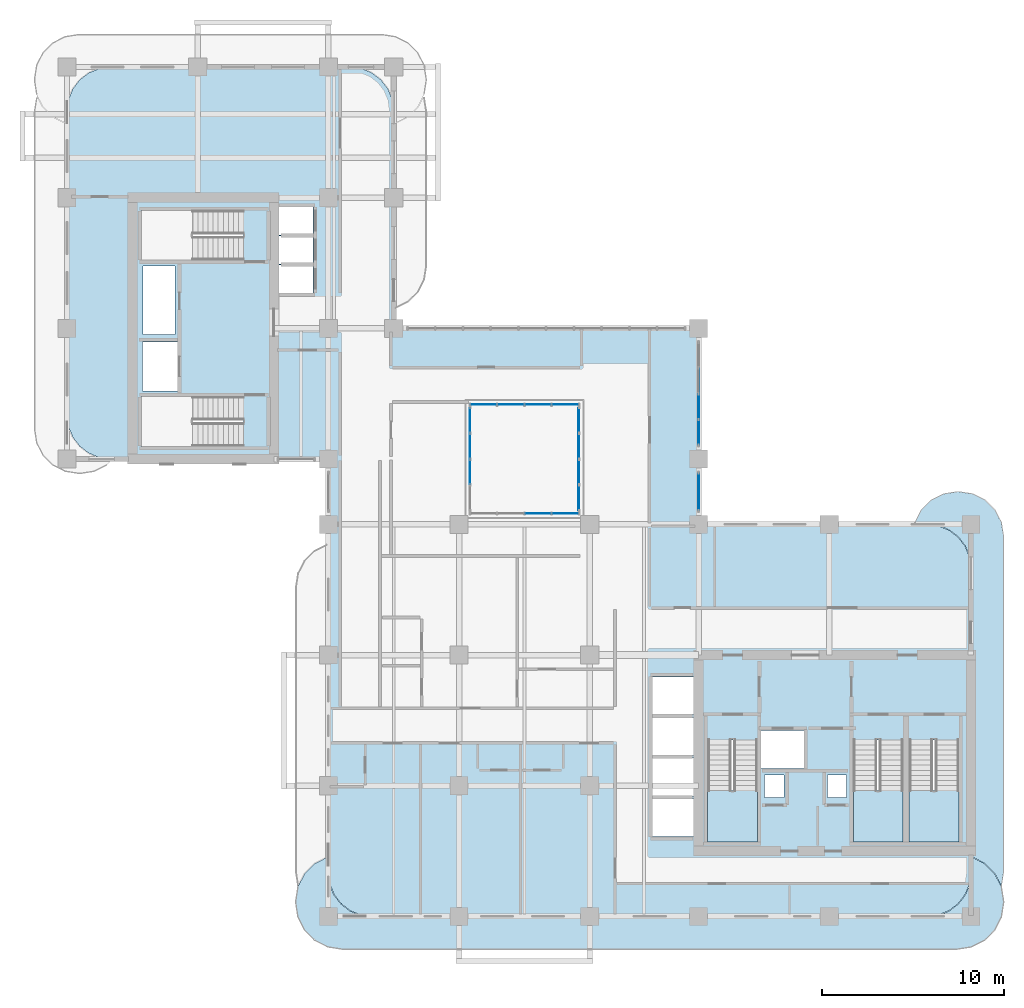
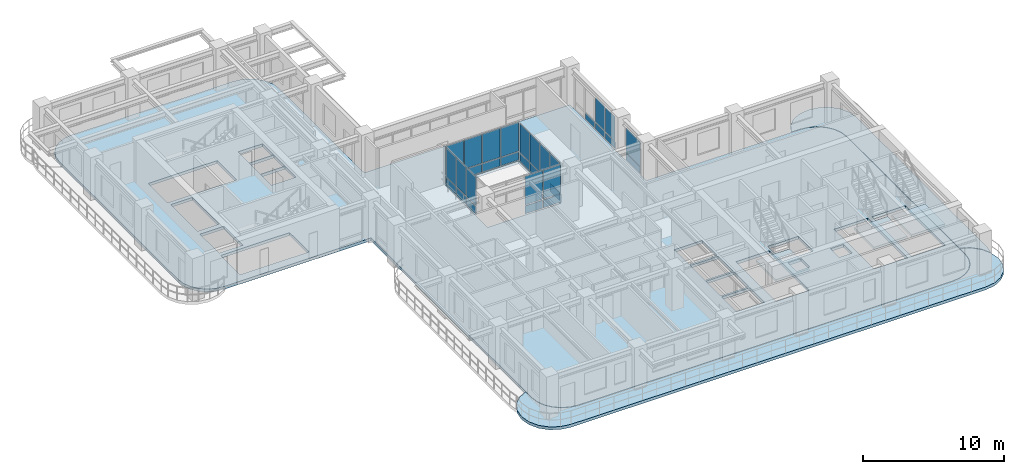
# One storey, part 9 of 19: 33 plates, 6 slabs, 9 elements without a shape of their own.
"""IFC4 building model written with IfcOpenShell, lengths in metres."""

from ifc_helpers import new_model, si_unit, derived_unit, direction, frame, origin, origin_2d, place, context, subcontext, project, spatial, polyline, rectangle, outline, extrude, source, transform, mapped, material, layer, layer_set, type_object, element, aggregate, save


model = new_model("IFC4")

# Units and contexts
model_context = context("Model", 3, precision=1e-05, world=origin(), true_north=direction((0.0, 1.0)))
body_context = subcontext(model_context, "Body", "Model", "MODEL_VIEW")
ifc_project = project(units=[si_unit("LENGTHUNIT", "METRE"), si_unit("AREAUNIT", "SQUARE_METRE"), si_unit("VOLUMEUNIT", "CUBIC_METRE"), si_unit("PLANEANGLEUNIT", "RADIAN"), si_unit("MASSUNIT", "GRAM", prefix="KILO"), si_unit("THERMODYNAMICTEMPERATUREUNIT", "KELVIN"), si_unit("POWERUNIT", "WATT"), derived_unit("THERMALTRANSMITTANCEUNIT", [(si_unit("POWERUNIT", "WATT"), 1), (si_unit("AREAUNIT", "SQUARE_METRE"), -1), (si_unit("THERMODYNAMICTEMPERATUREUNIT", "KELVIN"), -1)])], contexts=[model_context])

# Site, building, storey
site_placement = place(None, origin())
site = spatial("IfcSite", under=ifc_project, at=site_placement, CompositionType="ELEMENT")
building_placement = place(site_placement, origin())
building = spatial("IfcBuilding", under=site, at=building_placement, Name="Zahravan Archway Hotel and Residences", CompositionType="ELEMENT")
storey_placement = place(building_placement, frame((0.0, 0.0, 134.0)))
storey = spatial("IfcBuildingStorey", under=building, at=storey_placement, Name="L33", CompositionType="ELEMENT", Elevation=134.0)

# Slabs
ifc_material_1 = material(Name="Concrete C45/55", Category="concrete")
ifc_layer_1 = layer(ifc_material_1, 0.25, Name="Concrete C45/55", Category="concrete")
ifc_layer_set_1 = layer_set([ifc_layer_1], Name="Concrete C45/55")
slab_type_1 = type_object("IfcSlabType", Name="SLB-BALC-250", PredefinedType="FLOOR", material=ifc_layer_set_1)
slab_1_placement = place(storey_placement, frame((0.0, 0.0, -0.25)))
element("IfcSlab", 1, at=slab_1_placement, inside=storey, type_object=slab_type_1, Name="L33 Wing A South Rounded Balcony Band", PredefinedType="FLOOR", context=body_context, shape_type="SweptSolid", body=[
    extrude(outline(polyline([(49.837890625, 3.275146484375), (50.548828125, 2.9130859375), (51.113037109375, 2.348876953125), (51.47509765625, 1.637939453125), (51.60009765625, 0.85009765625), (51.60009765625, 0.75), (51.47509765625, -0.0380859375), (51.113037109375, -0.748779296875), (50.548828125, -1.31298828125), (49.837890625, -1.67529296875), (49.050048828125, -1.800048828125), (15.14990234375, -1.800048828125), (14.362060546875, -1.67529296875), (13.651123046875, -1.31298828125), (13.0869140625, -0.748779296875), (12.724853515625, -0.0380859375), (12.60009765625, 0.75), (12.60009765625, 0.85009765625), (12.724853515625, 1.637939453125), (13.0869140625, 2.348876953125), (13.651123046875, 2.9130859375), (14.362060546875, 3.275146484375), (14.3798828125, 3.278076171875), (14.3798828125, 2.39990234375), (14.380126953125, 2.3974609375), (14.4619140625, 1.776123046875), (14.46240234375, 1.7744140625), (14.462646484375, 1.772705078125), (14.46337890625, 1.77099609375), (14.702880859375, 1.1923828125), (14.703857421875, 1.19091796875), (14.70458984375, 1.189208984375), (14.70556640625, 1.187744140625), (15.0869140625, 0.690673828125), (15.088134765625, 0.689453125), (15.08935546875, 0.688232421875), (15.0908203125, 0.68701171875), (15.587890625, 0.3056640625), (15.58935546875, 0.3046875), (15.5908203125, 0.3037109375), (15.59228515625, 0.302978515625), (16.171142578125, 0.063232421875), (16.1728515625, 0.062744140625), (16.174560546875, 0.062255859375), (16.17626953125, 0.06201171875), (16.79736328125, -0.019775390625), (16.800048828125, -0.02001953125), (47.39990234375, -0.02001953125), (47.402587890625, -0.019775390625), (48.023681640625, 0.06201171875), (48.025390625, 0.062255859375), (48.027099609375, 0.062744140625), (48.02880859375, 0.063232421875), (48.607666015625, 0.302978515625), (48.609130859375, 0.3037109375), (48.610595703125, 0.3046875), (48.6123046875, 0.3056640625), (49.109375, 0.68701171875), (49.110595703125, 0.688232421875), (49.11181640625, 0.689453125), (49.113037109375, 0.690673828125), (49.494384765625, 1.187744140625), (49.495361328125, 1.189208984375), (49.49609375, 1.19091796875), (49.4970703125, 1.1923828125), (49.73681640625, 1.77099609375), (49.7373046875, 1.772705078125), (49.73779296875, 1.7744140625), (49.738037109375, 1.776123046875), (49.81982421875, 2.3974609375), (49.820068359375, 2.39990234375), (49.820068359375, 3.278076171875), (49.837890625, 3.275146484375)])), origin(), (0.0, 0.0, 1.0), 0.25),
])
slab_2_placement = place(storey_placement, frame((0.0, 0.0, -0.25)))
element("IfcSlab", 2, at=slab_2_placement, inside=storey, type_object=slab_type_1, Name="L33 Wing A East Rounded Balcony Band", PredefinedType="FLOOR", context=body_context, shape_type="SweptSolid", body=[
    extrude(outline(polyline([(46.719970703125, 21.70703125), (47.06787109375, 22.39013671875), (47.60986328125, 22.93212890625), (48.29296875, 23.280029296875), (49.050048828125, 23.39990234375), (49.14990234375, 23.39990234375), (49.906982421875, 23.280029296875), (50.590087890625, 22.93212890625), (51.132080078125, 22.39013671875), (51.47998046875, 21.70703125), (51.60009765625, 20.949951171875), (51.60009765625, 2.449951171875), (51.47998046875, 1.69287109375), (51.474853515625, 1.6826171875), (51.130859375, 2.35791015625), (51.1298828125, 2.35986328125), (51.12841796875, 2.361572265625), (51.127197265625, 2.363037109375), (50.56298828125, 2.927001953125), (50.5615234375, 2.928466796875), (50.559814453125, 2.9296875), (50.55810546875, 2.930908203125), (49.84716796875, 3.29296875), (49.84521484375, 3.2939453125), (49.84326171875, 3.29443359375), (49.841064453125, 3.294921875), (49.822998046875, 3.2978515625), (49.8212890625, 3.298095703125), (49.820068359375, 3.298095703125), (49.820068359375, 19.199951171875), (49.81982421875, 19.20263671875), (49.738037109375, 19.82373046875), (49.73779296875, 19.825439453125), (49.7373046875, 19.8271484375), (49.73681640625, 19.828857421875), (49.4970703125, 20.40771484375), (49.49609375, 20.4091796875), (49.495361328125, 20.41064453125), (49.494384765625, 20.412109375), (49.113037109375, 20.9091796875), (49.11181640625, 20.91064453125), (49.110595703125, 20.911865234375), (49.109375, 20.9130859375), (48.6123046875, 21.29443359375), (48.610595703125, 21.29541015625), (48.609130859375, 21.296142578125), (48.607666015625, 21.297119140625), (48.02880859375, 21.53662109375), (48.027099609375, 21.537353515625), (48.025390625, 21.53759765625), (48.023681640625, 21.5380859375), (47.402587890625, 21.619873046875), (47.39990234375, 21.6201171875), (46.7060546875, 21.6201171875), (46.719970703125, 21.70703125)])), origin(), (0.0, 0.0, 1.0), 0.25),
])
ifc_layer_2 = layer(ifc_material_1, 0.25, Name="Concrete C45/55", Category="concrete")
ifc_layer_set_2 = layer_set([ifc_layer_2], Name="Concrete C45/55")
slab_type_2 = type_object("IfcSlabType", Name="SLB-FLR-250", PredefinedType="FLOOR", material=ifc_layer_set_2)
slab_3_placement = place(storey_placement, frame((0.0, 0.0, -0.25)))
element("IfcSlab", 3, at=slab_3_placement, inside=storey, type_object=slab_type_2, Name="L33 Floor Slab LB", PredefinedType="FLOOR", context=body_context, shape_type="SweptSolid", body=[
    extrude(outline(polyline([(34.800048828125, 21.60009765625), (34.800048828125, 32.39990234375), (18.0, 32.39990234375), (18.0, 44.39990234375), (17.918212890625, 45.021240234375), (17.678466796875, 45.60009765625), (17.297119140625, 46.09716796875), (16.800048828125, 46.478515625), (16.22119140625, 46.71826171875), (15.60009765625, 46.800048828125), (2.39990234375, 46.800048828125), (1.77880859375, 46.71826171875), (1.199951171875, 46.478515625), (0.702880859375, 46.09716796875), (0.321533203125, 45.60009765625), (0.081787109375, 45.021240234375), (0.0, 44.39990234375), (0.0, 27.60009765625), (0.081787109375, 26.978759765625), (0.321533203125, 26.39990234375), (0.702880859375, 25.90283203125), (1.199951171875, 25.521484375), (1.77880859375, 25.28173828125), (2.39990234375, 25.199951171875), (14.39990234375, 25.199951171875), (14.39990234375, 19.199951171875), (14.39990234375, 19.10009765625), (14.39990234375, 2.39990234375), (14.481689453125, 1.77880859375), (14.721435546875, 1.199951171875), (15.102783203125, 0.702880859375), (15.60009765625, 0.321533203125), (16.1787109375, 0.081787109375), (16.800048828125, 0.0), (47.39990234375, 0.0), (48.021240234375, 0.081787109375), (48.60009765625, 0.321533203125), (49.09716796875, 0.702880859375), (49.478515625, 1.199951171875), (49.71826171875, 1.77880859375), (49.800048828125, 2.39990234375), (49.800048828125, 19.199951171875), (49.71826171875, 19.8212890625), (49.478515625, 20.39990234375), (49.09716796875, 20.897216796875), (48.60009765625, 21.278564453125), (48.021240234375, 21.518310546875), (47.39990234375, 21.60009765625), (34.800048828125, 21.60009765625)]), holes=[polyline([(35.300048828125, 9.72998046875), (35.300048828125, 4.10009765625), (38.0400390625, 4.10009765625), (38.0400390625, 9.72998046875), (35.300048828125, 9.72998046875)]), polyline([(43.320068359375, 9.72998046875), (43.320068359375, 4.10009765625), (46.06005859375, 4.10009765625), (46.06005859375, 9.72998046875), (43.320068359375, 9.72998046875)]), polyline([(46.39990234375, 9.72998046875), (46.39990234375, 4.10009765625), (49.139892578125, 4.10009765625), (49.139892578125, 9.72998046875), (46.39990234375, 9.72998046875)]), polyline([(9.72998046875, 28.639892578125), (4.10009765625, 28.639892578125), (4.10009765625, 25.89990234375), (9.72998046875, 25.89990234375), (9.72998046875, 28.639892578125)]), polyline([(9.72998046875, 38.89990234375), (4.10009765625, 38.89990234375), (4.10009765625, 36.159912109375), (9.72998046875, 36.159912109375), (9.72998046875, 38.89990234375)]), polyline([(38.179931640625, 8.14990234375), (40.699951171875, 8.14990234375), (40.699951171875, 10.25), (38.179931640625, 10.25), (38.179931640625, 8.14990234375)]), polyline([(4.14990234375, 28.949951171875), (6.10009765625, 28.949951171875), (6.10009765625, 31.64990234375), (4.14990234375, 31.64990234375), (4.14990234375, 28.949951171875)]), polyline([(11.550048828125, 34.35009765625), (13.550048828125, 34.35009765625), (13.550048828125, 35.889892578125), (11.550048828125, 35.889892578125), (11.550048828125, 34.35009765625)]), polyline([(11.550048828125, 35.949951171875), (13.550048828125, 35.949951171875), (13.550048828125, 37.489990234375), (11.550048828125, 37.489990234375), (11.550048828125, 35.949951171875)]), polyline([(11.550048828125, 37.550048828125), (13.550048828125, 37.550048828125), (13.550048828125, 39.090087890625), (11.550048828125, 39.090087890625), (11.550048828125, 37.550048828125)]), polyline([(32.25, 4.39990234375), (34.550048828125, 4.39990234375), (34.550048828125, 6.47998046875), (32.25, 6.47998046875), (32.25, 4.39990234375)]), polyline([(32.25, 6.639892578125), (34.550048828125, 6.639892578125), (34.550048828125, 8.719970703125), (32.25, 8.719970703125), (32.25, 6.639892578125)]), polyline([(32.25, 8.8798828125), (34.550048828125, 8.8798828125), (34.550048828125, 10.9599609375), (32.25, 10.9599609375), (32.25, 8.8798828125)]), polyline([(32.25, 11.1201171875), (34.550048828125, 11.1201171875), (34.550048828125, 13.199951171875), (32.25, 13.199951171875), (32.25, 11.1201171875)]), polyline([(22.199951171875, 22.199951171875), (28.199951171875, 22.199951171875), (28.199951171875, 28.199951171875), (22.199951171875, 28.199951171875), (22.199951171875, 22.199951171875)]), polyline([(38.419921875, 6.56005859375), (39.5, 6.56005859375), (39.5, 7.780029296875), (38.419921875, 7.780029296875), (38.419921875, 6.56005859375)]), polyline([(41.89990234375, 6.56005859375), (42.9599609375, 6.56005859375), (42.9599609375, 7.780029296875), (41.89990234375, 7.780029296875), (41.89990234375, 6.56005859375)]), polyline([(4.179931640625, 32.050048828125), (5.93994140625, 32.050048828125), (5.93994140625, 35.840087890625), (4.179931640625, 35.840087890625), (4.179931640625, 32.050048828125)])]), origin(), (0.0, 0.0, 1.0), 0.25),
])

# Stair, slab
ifc_material_2 = material(Name="Concrete C50/60", Category="concrete")
stair_type = type_object("IfcStairType", Name="STR-CORE-1300", PredefinedType="HALF_TURN_STAIR", material=ifc_material_2)
stair_1_placement = place(storey_placement, origin())
stair_1 = element("IfcStair", 4, at=stair_1_placement, inside=storey, type_object=stair_type, Name="L33 Core A Exit Stair 1", PredefinedType="HALF_TURN_STAIR")
ifc_layer_3 = layer(ifc_material_2, 0.199951171875, Name="Concrete C50/60", Category="concrete")
ifc_layer_set_3 = layer_set([ifc_layer_3], Name="Concrete C50/60")
slab_type_3 = type_object("IfcSlabType", Name="SLB-LND-200", PredefinedType="LANDING", material=ifc_layer_set_3)
slab_4_placement = place(storey_placement, frame((0.0, 0.0, 1.64990234375)))
slab_4 = element("IfcSlab", 5, at=slab_4_placement, type_object=slab_type_3, Name="ST-A1 landing 1", PredefinedType="LANDING", context=body_context, shape_type="SweptSolid", body=[
    extrude(outline(polyline([(35.300048828125, 6.929931640625), (35.300048828125, 4.10009765625), (38.0400390625, 4.10009765625), (38.0400390625, 6.929931640625), (35.300048828125, 6.929931640625)])), origin(), (0.0, 0.0, 1.0), 0.2001953125),
])
aggregate(stair_1, [slab_4])

stair_2_placement = place(storey_placement, origin())
stair_2 = element("IfcStair", 6, at=stair_2_placement, inside=storey, type_object=stair_type, Name="L33 Core A Exit Stair 2", PredefinedType="HALF_TURN_STAIR")
slab_5_placement = place(storey_placement, frame((0.0, 0.0, 1.64990234375)))
slab_5 = element("IfcSlab", 7, at=slab_5_placement, type_object=slab_type_3, Name="ST-A2 landing 1", PredefinedType="LANDING", context=body_context, shape_type="SweptSolid", body=[
    extrude(outline(polyline([(43.320068359375, 6.929931640625), (43.320068359375, 4.10009765625), (46.06005859375, 4.10009765625), (46.06005859375, 6.929931640625), (43.320068359375, 6.929931640625)])), origin(), (0.0, 0.0, 1.0), 0.2001953125),
])
aggregate(stair_2, [slab_5])

stair_3_placement = place(storey_placement, origin())
stair_3 = element("IfcStair", 8, at=stair_3_placement, inside=storey, type_object=stair_type, Name="L33 Core A Exit Stair 3", PredefinedType="HALF_TURN_STAIR")
slab_6_placement = place(storey_placement, frame((0.0, 0.0, 1.64990234375)))
slab_6 = element("IfcSlab", 9, at=slab_6_placement, type_object=slab_type_3, Name="ST-A3 landing 1", PredefinedType="LANDING", context=body_context, shape_type="SweptSolid", body=[
    extrude(outline(polyline([(46.39990234375, 6.929931640625), (46.39990234375, 4.10009765625), (49.139892578125, 4.10009765625), (49.139892578125, 6.929931640625), (46.39990234375, 6.929931640625)])), origin(), (0.0, 0.0, 1.0), 0.2001953125),
])
aggregate(stair_3, [slab_6])

# Curtain wall, plates
ifc_material_3 = material(Name="Bronze-Anodized Unitised Aluminium & Low-E Glass", Category="aluminium")
ifc_layer_4 = layer(ifc_material_3, 0.179931640625, Name="Bronze-Anodized Unitised Aluminium & Low-E Glass", Category="aluminium")
ifc_layer_set_4 = layer_set([ifc_layer_4], Name="Bronze-Anodized Unitised Aluminium & Low-E Glass")
curtain_wall_type = type_object("IfcCurtainWallType", Name="CW-ATR-GLAZ", PredefinedType="NOTDEFINED", material=ifc_layer_set_4)
curtain_wall_1_placement = place(storey_placement, origin())
curtain_wall_1 = element("IfcCurtainWall", 10, at=curtain_wall_1_placement, inside=storey, type_object=curtain_wall_type, Name="L33 Curtain Wall CW-ATR-L33-S-1", PredefinedType="NOTDEFINED")
ifc_material_4 = material(Name="Insulated Terracotta Spandrel Panel", Category="masonry")
ifc_layer_5 = layer(ifc_material_4, 0.0400390625, Name="Insulated Terracotta Spandrel Panel", Category="masonry")
ifc_layer_set_5 = layer_set([ifc_layer_5], Name="Insulated Terracotta Spandrel Panel")
plate_type_1 = type_object("IfcPlateType", Name="CWP-SPN-40", PredefinedType="SHEET", material=ifc_layer_set_5)
shared_shape_1 = source(origin(), body_context, "Body", "SweptSolid", [
    extrude(rectangle(XDim=1.419921875, YDim=0.0400390625, at=origin_2d()), origin(), (0.0, 0.0, 1.0), 0.68798828125),
])
plate_1_placement = place(storey_placement, frame((25.949951171875, 22.199951171875, 0.10009765625), z_axis=(0.0, 0.0, 1.0), x_axis=(1.0, 0.0, 0.0)))
plate_1 = element("IfcPlate", 11, at=plate_1_placement, type_object=plate_type_1, Name="CW-ATR-L33-S-1 Spandrel Panel 2", PredefinedType="SHEET", context=body_context, shape_type="MappedRepresentation", body=[
    mapped(shared_shape_1, transform((0.0, 0.0, 0.0), scale=1.0)),
])
plate_2_placement = place(storey_placement, frame((27.449951171875, 22.199951171875, 0.10009765625), z_axis=(0.0, 0.0, 1.0), x_axis=(1.0, 0.0, 0.0)))
plate_2 = element("IfcPlate", 12, at=plate_2_placement, type_object=plate_type_1, Name="CW-ATR-L33-S-1 Spandrel Panel 3", PredefinedType="SHEET", context=body_context, shape_type="MappedRepresentation", body=[
    mapped(shared_shape_1, transform((0.0, 0.0, 0.0), scale=1.0)),
])

curtain_wall_2_placement = place(storey_placement, origin())
curtain_wall_2 = element("IfcCurtainWall", 13, at=curtain_wall_2_placement, inside=storey, type_object=curtain_wall_type, Name="L33 Curtain Wall CW-ATR-L33-N-1", PredefinedType="NOTDEFINED")
plate_3_placement = place(storey_placement, frame((22.949951171875, 28.199951171875, 0.10009765625), z_axis=(0.0, 0.0, 1.0), x_axis=(1.0, 0.0, 0.0)))
plate_3 = element("IfcPlate", 14, at=plate_3_placement, type_object=plate_type_1, Name="CW-ATR-L33-N-1 Spandrel Panel 0", PredefinedType="SHEET", context=body_context, shape_type="MappedRepresentation", body=[
    mapped(shared_shape_1, transform((0.0, 0.0, 0.0), scale=1.0)),
])
plate_4_placement = place(storey_placement, frame((24.449951171875, 28.199951171875, 0.10009765625), z_axis=(0.0, 0.0, 1.0), x_axis=(1.0, 0.0, 0.0)))
plate_4 = element("IfcPlate", 15, at=plate_4_placement, type_object=plate_type_1, Name="CW-ATR-L33-N-1 Spandrel Panel 1", PredefinedType="SHEET", context=body_context, shape_type="MappedRepresentation", body=[
    mapped(shared_shape_1, transform((0.0, 0.0, 0.0), scale=1.0)),
])
plate_5_placement = place(storey_placement, frame((25.949951171875, 28.199951171875, 0.10009765625), z_axis=(0.0, 0.0, 1.0), x_axis=(1.0, 0.0, 0.0)))
plate_5 = element("IfcPlate", 16, at=plate_5_placement, type_object=plate_type_1, Name="CW-ATR-L33-N-1 Spandrel Panel 2", PredefinedType="SHEET", context=body_context, shape_type="MappedRepresentation", body=[
    mapped(shared_shape_1, transform((0.0, 0.0, 0.0), scale=1.0)),
])
plate_6_placement = place(storey_placement, frame((27.449951171875, 28.199951171875, 0.10009765625), z_axis=(0.0, 0.0, 1.0), x_axis=(1.0, 0.0, 0.0)))
plate_6 = element("IfcPlate", 17, at=plate_6_placement, type_object=plate_type_1, Name="CW-ATR-L33-N-1 Spandrel Panel 3", PredefinedType="SHEET", context=body_context, shape_type="MappedRepresentation", body=[
    mapped(shared_shape_1, transform((0.0, 0.0, 0.0), scale=1.0)),
])

# Plate
ifc_material_5 = material(Name="Double-Silver Low-E Insulated Vision Glass", Category="glass")
ifc_layer_6 = layer(ifc_material_5, 0.028076171875, Name="Double-Silver Low-E Insulated Vision Glass", Category="glass")
ifc_layer_set_6 = layer_set([ifc_layer_6], Name="Double-Silver Low-E Insulated Vision Glass")
plate_type_2 = type_object("IfcPlateType", Name="CWP-GLZ-28", PredefinedType="CURTAIN_PANEL", material=ifc_layer_set_6)
shared_shape_2 = source(origin(), body_context, "Body", "SweptSolid", [
    extrude(rectangle(XDim=1.419921875, YDim=0.028076171875, at=origin_2d()), origin(), (0.0, 0.0, 1.0), 2.48193359375),
])
plate_7_placement = place(storey_placement, frame((25.949951171875, 22.199951171875, 0.867919921875), z_axis=(0.0, 0.0, 1.0), x_axis=(1.0, 0.0, 0.0)))
plate_7 = element("IfcPlate", 18, at=plate_7_placement, type_object=plate_type_2, Name="CW-ATR-L33-S-1 Low-E Vision Panel 2", PredefinedType="CURTAIN_PANEL", context=body_context, shape_type="MappedRepresentation", body=[
    mapped(shared_shape_2, transform((0.0, 0.0, 0.0), scale=1.0)),
])

plate_8_placement = place(storey_placement, frame((27.449951171875, 22.199951171875, 0.867919921875), z_axis=(0.0, 0.0, 1.0), x_axis=(1.0, 0.0, 0.0)))
plate_8 = element("IfcPlate", 19, at=plate_8_placement, type_object=plate_type_2, Name="CW-ATR-L33-S-1 Low-E Vision Panel 3", PredefinedType="CURTAIN_PANEL", context=body_context, shape_type="MappedRepresentation", body=[
    mapped(shared_shape_2, transform((0.0, 0.0, 0.0), scale=1.0)),
])

aggregate(curtain_wall_1, [plate_1, plate_7, plate_2, plate_8])

plate_9_placement = place(storey_placement, frame((22.949951171875, 28.199951171875, 0.867919921875), z_axis=(0.0, 0.0, 1.0), x_axis=(1.0, 0.0, 0.0)))
plate_9 = element("IfcPlate", 20, at=plate_9_placement, type_object=plate_type_2, Name="CW-ATR-L33-N-1 Low-E Vision Panel 0", PredefinedType="CURTAIN_PANEL", context=body_context, shape_type="MappedRepresentation", body=[
    mapped(shared_shape_2, transform((0.0, 0.0, 0.0), scale=1.0)),
])

plate_10_placement = place(storey_placement, frame((24.449951171875, 28.199951171875, 0.867919921875), z_axis=(0.0, 0.0, 1.0), x_axis=(1.0, 0.0, 0.0)))
plate_10 = element("IfcPlate", 21, at=plate_10_placement, type_object=plate_type_2, Name="CW-ATR-L33-N-1 Low-E Vision Panel 1", PredefinedType="CURTAIN_PANEL", context=body_context, shape_type="MappedRepresentation", body=[
    mapped(shared_shape_2, transform((0.0, 0.0, 0.0), scale=1.0)),
])

plate_11_placement = place(storey_placement, frame((25.949951171875, 28.199951171875, 0.867919921875), z_axis=(0.0, 0.0, 1.0), x_axis=(1.0, 0.0, 0.0)))
plate_11 = element("IfcPlate", 22, at=plate_11_placement, type_object=plate_type_2, Name="CW-ATR-L33-N-1 Low-E Vision Panel 2", PredefinedType="CURTAIN_PANEL", context=body_context, shape_type="MappedRepresentation", body=[
    mapped(shared_shape_2, transform((0.0, 0.0, 0.0), scale=1.0)),
])

plate_12_placement = place(storey_placement, frame((27.449951171875, 28.199951171875, 0.867919921875), z_axis=(0.0, 0.0, 1.0), x_axis=(1.0, 0.0, 0.0)))
plate_12 = element("IfcPlate", 23, at=plate_12_placement, type_object=plate_type_2, Name="CW-ATR-L33-N-1 Low-E Vision Panel 3", PredefinedType="CURTAIN_PANEL", context=body_context, shape_type="MappedRepresentation", body=[
    mapped(shared_shape_2, transform((0.0, 0.0, 0.0), scale=1.0)),
])

aggregate(curtain_wall_2, [plate_3, plate_9, plate_4, plate_10, plate_5, plate_11, plate_6, plate_12])

# Curtain wall, plates
curtain_wall_3_placement = place(storey_placement, origin())
curtain_wall_3 = element("IfcCurtainWall", 24, at=curtain_wall_3_placement, inside=storey, type_object=curtain_wall_type, Name="L33 Curtain Wall CW-ATR-L33-W-1", PredefinedType="NOTDEFINED")
shared_shape_3 = source(origin(), body_context, "Body", "SweptSolid", [
    extrude(rectangle(XDim=1.344970703125, YDim=0.0400390625, at=origin_2d()), origin(), (0.0, 0.0, 1.0), 0.68798828125),
])
plate_13_placement = place(storey_placement, frame((22.199951171875, 24.487548828125, 0.10009765625), z_axis=(0.0, 0.0, 1.0), x_axis=(0.0, 1.0, 0.0)))
plate_13 = element("IfcPlate", 25, at=plate_13_placement, type_object=plate_type_1, Name="CW-ATR-L33-W-1 Spandrel Panel 1", PredefinedType="SHEET", context=body_context, shape_type="MappedRepresentation", body=[
    mapped(shared_shape_3, transform((0.0, 0.0, 0.0), scale=1.0)),
])
plate_14_placement = place(storey_placement, frame((22.199951171875, 25.91259765625, 0.10009765625), z_axis=(0.0, 0.0, 1.0), x_axis=(0.0, 1.0, 0.0)))
plate_14 = element("IfcPlate", 26, at=plate_14_placement, type_object=plate_type_1, Name="CW-ATR-L33-W-1 Spandrel Panel 2", PredefinedType="SHEET", context=body_context, shape_type="MappedRepresentation", body=[
    mapped(shared_shape_3, transform((0.0, 0.0, 0.0), scale=1.0)),
])
plate_15_placement = place(storey_placement, frame((22.199951171875, 27.33740234375, 0.10009765625), z_axis=(0.0, 0.0, 1.0), x_axis=(0.0, 1.0, 0.0)))
plate_15 = element("IfcPlate", 27, at=plate_15_placement, type_object=plate_type_1, Name="CW-ATR-L33-W-1 Spandrel Panel 3", PredefinedType="SHEET", context=body_context, shape_type="MappedRepresentation", body=[
    mapped(shared_shape_3, transform((0.0, 0.0, 0.0), scale=1.0)),
])

curtain_wall_4_placement = place(storey_placement, origin())
curtain_wall_4 = element("IfcCurtainWall", 28, at=curtain_wall_4_placement, inside=storey, type_object=curtain_wall_type, Name="L33 Curtain Wall CW-ATR-L33-E-1", PredefinedType="NOTDEFINED")
plate_16_placement = place(storey_placement, frame((28.199951171875, 23.0625, 0.10009765625), z_axis=(0.0, 0.0, 1.0), x_axis=(0.0, 1.0, 0.0)))
plate_16 = element("IfcPlate", 29, at=plate_16_placement, type_object=plate_type_1, Name="CW-ATR-L33-E-1 Spandrel Panel 0", PredefinedType="SHEET", context=body_context, shape_type="MappedRepresentation", body=[
    mapped(shared_shape_3, transform((0.0, 0.0, 0.0), scale=1.0)),
])
plate_17_placement = place(storey_placement, frame((28.199951171875, 24.487548828125, 0.10009765625), z_axis=(0.0, 0.0, 1.0), x_axis=(0.0, 1.0, 0.0)))
plate_17 = element("IfcPlate", 30, at=plate_17_placement, type_object=plate_type_1, Name="CW-ATR-L33-E-1 Spandrel Panel 1", PredefinedType="SHEET", context=body_context, shape_type="MappedRepresentation", body=[
    mapped(shared_shape_3, transform((0.0, 0.0, 0.0), scale=1.0)),
])
plate_18_placement = place(storey_placement, frame((28.199951171875, 25.91259765625, 0.10009765625), z_axis=(0.0, 0.0, 1.0), x_axis=(0.0, 1.0, 0.0)))
plate_18 = element("IfcPlate", 31, at=plate_18_placement, type_object=plate_type_1, Name="CW-ATR-L33-E-1 Spandrel Panel 2", PredefinedType="SHEET", context=body_context, shape_type="MappedRepresentation", body=[
    mapped(shared_shape_3, transform((0.0, 0.0, 0.0), scale=1.0)),
])
plate_19_placement = place(storey_placement, frame((28.199951171875, 27.33740234375, 0.10009765625), z_axis=(0.0, 0.0, 1.0), x_axis=(0.0, 1.0, 0.0)))
plate_19 = element("IfcPlate", 32, at=plate_19_placement, type_object=plate_type_1, Name="CW-ATR-L33-E-1 Spandrel Panel 3", PredefinedType="SHEET", context=body_context, shape_type="MappedRepresentation", body=[
    mapped(shared_shape_3, transform((0.0, 0.0, 0.0), scale=1.0)),
])

# Plate
shared_shape_4 = source(origin(), body_context, "Body", "SweptSolid", [
    extrude(rectangle(XDim=1.344970703125, YDim=0.028076171875, at=origin_2d()), origin(), (0.0, 0.0, 1.0), 2.48193359375),
])
plate_20_placement = place(storey_placement, frame((22.199951171875, 24.487548828125, 0.867919921875), z_axis=(0.0, 0.0, 1.0), x_axis=(0.0, 1.0, 0.0)))
plate_20 = element("IfcPlate", 33, at=plate_20_placement, type_object=plate_type_2, Name="CW-ATR-L33-W-1 Low-E Vision Panel 1", PredefinedType="CURTAIN_PANEL", context=body_context, shape_type="MappedRepresentation", body=[
    mapped(shared_shape_4, transform((0.0, 0.0, 0.0), scale=1.0)),
])

plate_21_placement = place(storey_placement, frame((22.199951171875, 25.91259765625, 0.867919921875), z_axis=(0.0, 0.0, 1.0), x_axis=(0.0, 1.0, 0.0)))
plate_21 = element("IfcPlate", 34, at=plate_21_placement, type_object=plate_type_2, Name="CW-ATR-L33-W-1 Low-E Vision Panel 2", PredefinedType="CURTAIN_PANEL", context=body_context, shape_type="MappedRepresentation", body=[
    mapped(shared_shape_4, transform((0.0, 0.0, 0.0), scale=1.0)),
])

plate_22_placement = place(storey_placement, frame((22.199951171875, 27.33740234375, 0.867919921875), z_axis=(0.0, 0.0, 1.0), x_axis=(0.0, 1.0, 0.0)))
plate_22 = element("IfcPlate", 35, at=plate_22_placement, type_object=plate_type_2, Name="CW-ATR-L33-W-1 Low-E Vision Panel 3", PredefinedType="CURTAIN_PANEL", context=body_context, shape_type="MappedRepresentation", body=[
    mapped(shared_shape_4, transform((0.0, 0.0, 0.0), scale=1.0)),
])

aggregate(curtain_wall_3, [plate_13, plate_20, plate_14, plate_21, plate_15, plate_22])

plate_23_placement = place(storey_placement, frame((28.199951171875, 23.0625, 0.867919921875), z_axis=(0.0, 0.0, 1.0), x_axis=(0.0, 1.0, 0.0)))
plate_23 = element("IfcPlate", 36, at=plate_23_placement, type_object=plate_type_2, Name="CW-ATR-L33-E-1 Low-E Vision Panel 0", PredefinedType="CURTAIN_PANEL", context=body_context, shape_type="MappedRepresentation", body=[
    mapped(shared_shape_4, transform((0.0, 0.0, 0.0), scale=1.0)),
])

plate_24_placement = place(storey_placement, frame((28.199951171875, 24.487548828125, 0.867919921875), z_axis=(0.0, 0.0, 1.0), x_axis=(0.0, 1.0, 0.0)))
plate_24 = element("IfcPlate", 37, at=plate_24_placement, type_object=plate_type_2, Name="CW-ATR-L33-E-1 Low-E Vision Panel 1", PredefinedType="CURTAIN_PANEL", context=body_context, shape_type="MappedRepresentation", body=[
    mapped(shared_shape_4, transform((0.0, 0.0, 0.0), scale=1.0)),
])

plate_25_placement = place(storey_placement, frame((28.199951171875, 25.91259765625, 0.867919921875), z_axis=(0.0, 0.0, 1.0), x_axis=(0.0, 1.0, 0.0)))
plate_25 = element("IfcPlate", 38, at=plate_25_placement, type_object=plate_type_2, Name="CW-ATR-L33-E-1 Low-E Vision Panel 2", PredefinedType="CURTAIN_PANEL", context=body_context, shape_type="MappedRepresentation", body=[
    mapped(shared_shape_4, transform((0.0, 0.0, 0.0), scale=1.0)),
])

plate_26_placement = place(storey_placement, frame((28.199951171875, 27.33740234375, 0.867919921875), z_axis=(0.0, 0.0, 1.0), x_axis=(0.0, 1.0, 0.0)))
plate_26 = element("IfcPlate", 39, at=plate_26_placement, type_object=plate_type_2, Name="CW-ATR-L33-E-1 Low-E Vision Panel 3", PredefinedType="CURTAIN_PANEL", context=body_context, shape_type="MappedRepresentation", body=[
    mapped(shared_shape_4, transform((0.0, 0.0, 0.0), scale=1.0)),
])

aggregate(curtain_wall_4, [plate_16, plate_23, plate_17, plate_24, plate_18, plate_25, plate_19, plate_26])

# Curtain wall, plates
curtain_wall_5_placement = place(storey_placement, origin())
curtain_wall_5 = element("IfcCurtainWall", 40, at=curtain_wall_5_placement, inside=storey, type_object=curtain_wall_type, Name="L33 Curtain Wall CW-L33-HNG-E-1", PredefinedType="NOTDEFINED")
shared_shape_5 = source(origin(), body_context, "Body", "SweptSolid", [
    extrude(rectangle(XDim=2.0, YDim=0.0400390625, at=origin_2d()), origin(), (0.0, 0.0, 1.0), 0.564453125),
])
plate_27_placement = place(storey_placement, frame((34.800048828125, 23.39990234375, 0.099853515625), z_axis=(0.0, 0.0, 1.0), x_axis=(0.0, 1.0, 0.0)))
plate_27 = element("IfcPlate", 41, at=plate_27_placement, type_object=plate_type_1, Name="CW-L33-HNG-E-1 Spandrel Panel 0", PredefinedType="SHEET", context=body_context, shape_type="MappedRepresentation", body=[
    mapped(shared_shape_5, transform((0.0, 0.0, 0.0), scale=1.0)),
])
shared_shape_6 = source(origin(), body_context, "Body", "SweptSolid", [
    extrude(rectangle(XDim=2.0, YDim=0.028076171875, at=origin_2d()), origin(), (0.0, 0.0, 1.0), 2.090576171875),
])
plate_28_placement = place(storey_placement, frame((34.800048828125, 23.39990234375, 0.74462890625), z_axis=(0.0, 0.0, 1.0), x_axis=(0.0, 1.0, 0.0)))
plate_28 = element("IfcPlate", 42, at=plate_28_placement, type_object=plate_type_2, Name="CW-L33-HNG-E-1 Low-E Vision Panel 0", PredefinedType="CURTAIN_PANEL", context=body_context, shape_type="MappedRepresentation", body=[
    mapped(shared_shape_6, transform((0.0, 0.0, 0.0), scale=1.0)),
])
aggregate(curtain_wall_5, [plate_27, plate_28])

curtain_wall_6_placement = place(storey_placement, origin())
curtain_wall_6 = element("IfcCurtainWall", 43, at=curtain_wall_6_placement, inside=storey, type_object=curtain_wall_type, Name="L33 Curtain Wall CW-L33-HNG-E-2", PredefinedType="NOTDEFINED")
shared_shape_7 = source(origin(), body_context, "Body", "SweptSolid", [
    extrude(rectangle(XDim=1.340087890625, YDim=0.0400390625, at=origin_2d()), origin(), (0.0, 0.0, 1.0), 0.564453125),
])
plate_29_placement = place(storey_placement, frame((34.800048828125, 26.669921875, 0.099853515625), z_axis=(0.0, 0.0, 1.0), x_axis=(0.0, 1.0, 0.0)))
plate_29 = element("IfcPlate", 44, at=plate_29_placement, type_object=plate_type_1, Name="CW-L33-HNG-E-2 Spandrel Panel 0", PredefinedType="SHEET", context=body_context, shape_type="MappedRepresentation", body=[
    mapped(shared_shape_7, transform((0.0, 0.0, 0.0), scale=1.0)),
])
plate_30_placement = place(storey_placement, frame((34.800048828125, 28.090087890625, 0.099853515625), z_axis=(0.0, 0.0, 1.0), x_axis=(0.0, 1.0, 0.0)))
plate_30 = element("IfcPlate", 45, at=plate_30_placement, type_object=plate_type_1, Name="CW-L33-HNG-E-2 Spandrel Panel 1", PredefinedType="SHEET", context=body_context, shape_type="MappedRepresentation", body=[
    mapped(shared_shape_7, transform((0.0, 0.0, 0.0), scale=1.0)),
])
plate_31_placement = place(storey_placement, frame((34.800048828125, 29.510009765625, 0.099853515625), z_axis=(0.0, 0.0, 1.0), x_axis=(0.0, 1.0, 0.0)))
plate_31 = element("IfcPlate", 46, at=plate_31_placement, type_object=plate_type_1, Name="CW-L33-HNG-E-2 Spandrel Panel 2", PredefinedType="SHEET", context=body_context, shape_type="MappedRepresentation", body=[
    mapped(shared_shape_7, transform((0.0, 0.0, 0.0), scale=1.0)),
])
shared_shape_8 = source(origin(), body_context, "Body", "SweptSolid", [
    extrude(rectangle(XDim=1.340087890625, YDim=0.028076171875, at=origin_2d()), origin(), (0.0, 0.0, 1.0), 2.090576171875),
])
plate_32_placement = place(storey_placement, frame((34.800048828125, 26.669921875, 0.74462890625), z_axis=(0.0, 0.0, 1.0), x_axis=(0.0, 1.0, 0.0)))
plate_32 = element("IfcPlate", 47, at=plate_32_placement, type_object=plate_type_2, Name="CW-L33-HNG-E-2 Low-E Vision Panel 0", PredefinedType="CURTAIN_PANEL", context=body_context, shape_type="MappedRepresentation", body=[
    mapped(shared_shape_8, transform((0.0, 0.0, 0.0), scale=1.0)),
])
plate_33_placement = place(storey_placement, frame((34.800048828125, 28.090087890625, 0.74462890625), z_axis=(0.0, 0.0, 1.0), x_axis=(0.0, 1.0, 0.0)))
plate_33 = element("IfcPlate", 48, at=plate_33_placement, type_object=plate_type_2, Name="CW-L33-HNG-E-2 Low-E Vision Panel 1", PredefinedType="CURTAIN_PANEL", context=body_context, shape_type="MappedRepresentation", body=[
    mapped(shared_shape_8, transform((0.0, 0.0, 0.0), scale=1.0)),
])
aggregate(curtain_wall_6, [plate_29, plate_32, plate_30, plate_33, plate_31])

save(model, "model.ifc")
